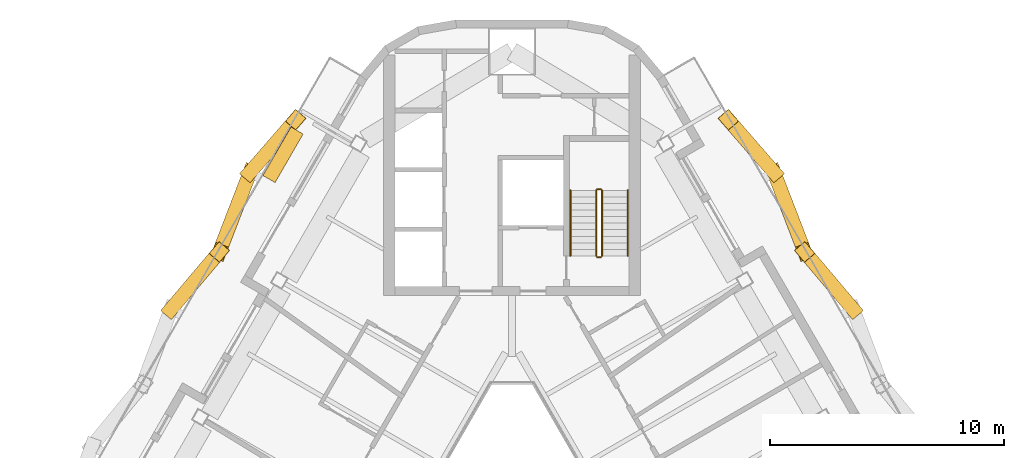
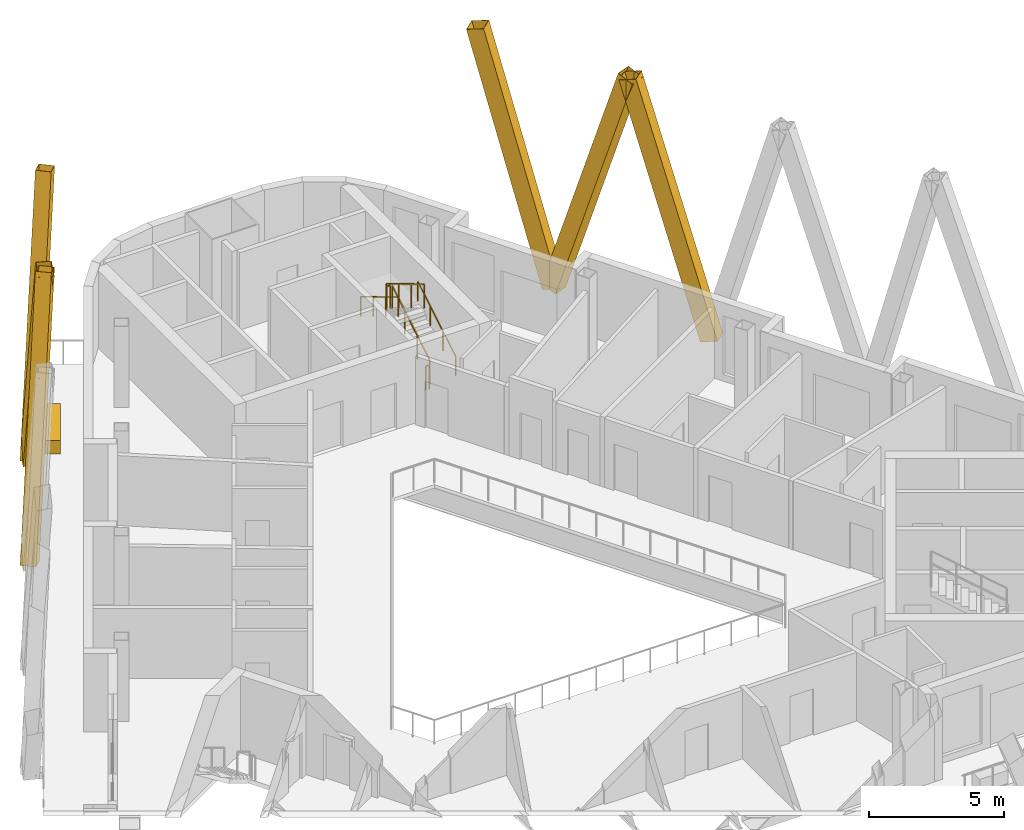
# One storey, part 12 of 12: 6 railings, 6 shading devices, 1 covering.
"""IFC4 building model written with IfcOpenShell, lengths in metres."""

from ifc_helpers import new_model, si_unit, direction, frame, origin, origin_2d, place, context, subcontext, project, spatial, rectangle, hollow_rectangle, circle, extrude, material, material_profile, profile_set, type_object, element, save


model = new_model("IFC4")

# Units and contexts
model_context = context("Model", 3, precision=1e-05, world=origin(), true_north=direction((0.0, 1.0)))
body_context = subcontext(model_context, "Body", "Model", "MODEL_VIEW")
ifc_project = project(units=[si_unit("LENGTHUNIT", "METRE"), si_unit("AREAUNIT", "SQUARE_METRE"), si_unit("VOLUMEUNIT", "CUBIC_METRE"), si_unit("PLANEANGLEUNIT", "RADIAN"), si_unit("MASSUNIT", "GRAM", prefix="KILO")], contexts=[model_context])

# Site, building, storey
site_placement = place(None, origin())
site = spatial("IfcSite", under=ifc_project, at=site_placement, CompositionType="ELEMENT")
building_placement = place(site_placement, origin())
building = spatial("IfcBuilding", under=site, at=building_placement, Name="Apuvela Tower Hotel", CompositionType="ELEMENT")
storey_placement = place(building_placement, frame((0.0, 0.0, 302.199951171875)))
storey = spatial("IfcBuildingStorey", under=building, at=storey_placement, Name="L75", CompositionType="ELEMENT", Elevation=302.199951171875)

# Railings
ifc_material_1 = material(Name="Steel S275 balustrade", Category="steel")
railing_type_1 = type_object("IfcRailingType", Name="COR-GUARD-1100", PredefinedType="GUARDRAIL", material=ifc_material_1)
railing_1_placement = place(storey_placement, frame((3.85009765625, 14.60009765625, 0.168212890625)))
element("IfcRailing", 1, at=railing_1_placement, inside=storey, type_object=railing_type_1, Name="L75 ST1 stair guard 1", PredefinedType="GUARDRAIL", context=body_context, shape_type="SweptSolid", body=[
    extrude(rectangle(XDim=0.048095703125, YDim=0.048095703125, at=origin_2d()), frame((0.0, 0.0, 1.076171875), z_axis=(0.0, 0.857222391501, 0.514946377315), x_axis=(-1.0, 0.0, 0.0)), (0.0, 0.0, 1.0), 3.26611328125),
    extrude(rectangle(XDim=0.0419921875, YDim=0.0419921875, at=origin_2d()), origin(), (0.0, 0.0, 1.0), 1.052001953125),
    extrude(rectangle(XDim=0.0419921875, YDim=0.0419921875, at=origin_2d()), frame((0.0, 0.933349609375, 0.560546875)), (0.0, 0.0, 1.0), 1.052001953125),
    extrude(rectangle(XDim=0.0419921875, YDim=0.0419921875, at=origin_2d()), frame((0.0, 1.866455078125, 1.121337890625)), (0.0, 0.0, 1.0), 1.052001953125),
    extrude(rectangle(XDim=0.0419921875, YDim=0.0419921875, at=origin_2d()), frame((0.0, 2.7998046875, 1.681884765625)), (0.0, 0.0, 1.0), 1.052001953125),
])
railing_2_placement = place(storey_placement, frame((3.800048828125, 17.449951171875, 1.85009765625)))
element("IfcRailing", 2, at=railing_2_placement, inside=storey, type_object=railing_type_1, Name="L75 ST1 stair guard 2", PredefinedType="GUARDRAIL", context=body_context, shape_type="SweptSolid", body=[
    extrude(rectangle(XDim=0.048095703125, YDim=0.048095703125, at=origin_2d()), frame((0.0, 0.0, 1.076171875), z_axis=(-1.0, 0.0, 0.0), x_axis=(0.0, -1.0, 0.0)), (0.0, 0.0, 1.0), 0.150146484375),
    extrude(rectangle(XDim=0.0419921875, YDim=0.0419921875, at=origin_2d()), origin(), (0.0, 0.0, 1.0), 1.052001953125),
    extrude(rectangle(XDim=0.0419921875, YDim=0.0419921875, at=origin_2d()), frame((-0.150146484375, 0.0, 0.0)), (0.0, 0.0, 1.0), 1.052001953125),
])
railing_3_placement = place(storey_placement, frame((3.60009765625, 17.39990234375, 2.018310546875)))
element("IfcRailing", 3, at=railing_3_placement, inside=storey, type_object=railing_type_1, Name="L75 ST1 stair guard 3", PredefinedType="GUARDRAIL", context=body_context, shape_type="SweptSolid", body=[
    extrude(rectangle(XDim=0.048095703125, YDim=0.048095703125, at=origin_2d()), frame((0.0, 0.0, 1.076171875), z_axis=(0.0, -0.857255387014, 0.514891446264), x_axis=(1.0, 0.0, 0.0)), (0.0, 0.0, 1.0), 3.26611328125),
    extrude(rectangle(XDim=0.0419921875, YDim=0.0419921875, at=origin_2d()), origin(), (0.0, 0.0, 1.0), 1.052001953125),
    extrude(rectangle(XDim=0.0419921875, YDim=0.0419921875, at=origin_2d()), frame((0.0, -0.933349609375, 0.560546875)), (0.0, 0.0, 1.0), 1.052001953125),
    extrude(rectangle(XDim=0.0419921875, YDim=0.0419921875, at=origin_2d()), frame((0.0, -1.866455078125, 1.12109375)), (0.0, 0.0, 1.0), 1.052001953125),
    extrude(rectangle(XDim=0.0419921875, YDim=0.0419921875, at=origin_2d()), frame((0.0, -2.7998046875, 1.681640625)), (0.0, 0.0, 1.0), 1.052001953125),
])
railing_4_placement = place(storey_placement, frame((3.800048828125, 14.550048828125, 0.0)))
element("IfcRailing", 4, at=railing_4_placement, inside=storey, type_object=railing_type_1, Name="L75 ST1 stair guard 4", PredefinedType="GUARDRAIL", context=body_context, shape_type="SweptSolid", body=[
    extrude(rectangle(XDim=0.048095703125, YDim=0.048095703125, at=origin_2d()), frame((0.0, 0.0, 1.076171875), z_axis=(-1.0, 0.0, 0.0), x_axis=(0.0, -1.0, 0.0)), (0.0, 0.0, 1.0), 0.150146484375),
    extrude(rectangle(XDim=0.0419921875, YDim=0.0419921875, at=origin_2d()), origin(), (0.0, 0.0, 1.0), 1.052001953125),
    extrude(rectangle(XDim=0.0419921875, YDim=0.0419921875, at=origin_2d()), frame((-0.150146484375, 0.0, 0.0)), (0.0, 0.0, 1.0), 1.052001953125),
])
ifc_material_2 = material(Name="Stainless steel 316 handrail", Category="steel")
railing_type_2 = type_object("IfcRailingType", Name="COR-HANDRAIL-900", PredefinedType="HANDRAIL", material=ifc_material_2)
railing_5_placement = place(storey_placement, frame((4.949951171875, 14.60009765625, 0.168212890625)))
element("IfcRailing", 5, at=railing_5_placement, inside=storey, type_object=railing_type_2, Name="L75 ST1 stair handrail 1", PredefinedType="HANDRAIL", context=body_context, shape_type="SweptSolid", body=[
    extrude(circle(Radius=0.02392578125, at=origin_2d()), frame((0.0, 0.0, 0.8759765625), z_axis=(0.0, 0.857222391501, 0.514946377315), x_axis=(-1.0, 0.0, 0.0)), (0.0, 0.0, 1.0), 3.26611328125),
    extrude(rectangle(XDim=0.0419921875, YDim=0.0419921875, at=origin_2d()), origin(), (0.0, 0.0, 1.0), 0.851806640625),
    extrude(rectangle(XDim=0.0419921875, YDim=0.0419921875, at=origin_2d()), frame((0.0, 0.933349609375, 0.560546875)), (0.0, 0.0, 1.0), 0.851806640625),
    extrude(rectangle(XDim=0.0419921875, YDim=0.0419921875, at=origin_2d()), frame((0.0, 1.866455078125, 1.121337890625)), (0.0, 0.0, 1.0), 0.851806640625),
    extrude(rectangle(XDim=0.0419921875, YDim=0.0419921875, at=origin_2d()), frame((0.0, 2.7998046875, 1.681884765625)), (0.0, 0.0, 1.0), 0.851806640625),
])
railing_6_placement = place(storey_placement, frame((2.5, 17.39990234375, 2.018310546875)))
element("IfcRailing", 6, at=railing_6_placement, inside=storey, type_object=railing_type_2, Name="L75 ST1 stair handrail 2", PredefinedType="HANDRAIL", context=body_context, shape_type="SweptSolid", body=[
    extrude(circle(Radius=0.02392578125, at=origin_2d()), frame((0.0, 0.0, 0.8759765625), z_axis=(0.0, -0.857255387014, 0.514891446264), x_axis=(1.0, 0.0, 0.0)), (0.0, 0.0, 1.0), 3.26611328125),
    extrude(rectangle(XDim=0.0419921875, YDim=0.0419921875, at=origin_2d()), origin(), (0.0, 0.0, 1.0), 0.851806640625),
    extrude(rectangle(XDim=0.0419921875, YDim=0.0419921875, at=origin_2d()), frame((0.0, -0.933349609375, 0.560546875)), (0.0, 0.0, 1.0), 0.851806640625),
    extrude(rectangle(XDim=0.0419921875, YDim=0.0419921875, at=origin_2d()), frame((0.0, -1.866455078125, 1.12109375)), (0.0, 0.0, 1.0), 0.851806640625),
    extrude(rectangle(XDim=0.0419921875, YDim=0.0419921875, at=origin_2d()), frame((0.0, -2.7998046875, 1.681640625)), (0.0, 0.0, 1.0), 0.851806640625),
])

# Shading devices
ifc_material_3 = material(Name="Aluminium 6063-T6, black anodised", Category="aluminium")
ifc_material_profile = material_profile(ifc_material_3, hollow_rectangle(XDim=0.60009765625, YDim=0.699951171875, WallThickness=0.011962890625, at=origin_2d()), Name="AL BOX 700x600x12")
ifc_profile_set = profile_set([ifc_material_profile], Name="Aluminium 6063-T6, black anodised")
shading_device_type = type_object("IfcShadingDeviceType", Name="ENV-FIN-700x600", PredefinedType="USERDEFINED", material=ifc_profile_set)
shading_device_1_placement = place(storey_placement, frame((14.5869140625, 12.323974609375, -0.099853515625), z_axis=(-0.178913656165, 0.211691246611, 0.96082085726), x_axis=(-0.763759239097, -0.645501219746, 0.0)))
element("IfcShadingDevice", 7, at=shading_device_1_placement, inside=storey, type_object=shading_device_type, Name="Lattice fin NE670", ObjectType="FIN", PredefinedType="USERDEFINED", context=body_context, shape_type="SweptSolid", body=[
    extrude(hollow_rectangle(XDim=0.60009765625, YDim=0.699951171875, WallThickness=0.011962890625, at=origin_2d()), origin(), (0.0, 0.0, 1.0), 11.552490234375),
])
shading_device_2_placement = place(storey_placement, frame((11.20751953125, 18.17724609375, -0.099853515625), z_axis=(0.112322381193, -0.291628682419, 0.94991388782), x_axis=(0.93317663974, 0.359418083912, 0.0)))
element("IfcShadingDevice", 8, at=shading_device_2_placement, inside=storey, type_object=shading_device_type, Name="Lattice fin NE671", ObjectType="FIN", PredefinedType="USERDEFINED", context=body_context, shape_type="SweptSolid", body=[
    extrude(hollow_rectangle(XDim=0.60009765625, YDim=0.699951171875, WallThickness=0.011962890625, at=origin_2d()), origin(), (0.0, 0.0, 1.0), 11.68505859375),
])
for number, where, z_axis, x_axis, name in (
    (9, (11.20751953125, 18.17724609375, -0.099853515625), (-0.169908073036, 0.195613095338, 0.965850280142), (-0.754969024262, -0.655760453524, 0.0), "Lattice fin NE672"),
    (10, (-11.20751953125, 18.17724609375, -0.099853515625), (0.169908073036, 0.195613095338, 0.965850280142), (-0.754969024262, 0.655760453524, 0.0), "Lattice fin NW693"),
):
    element("IfcShadingDevice", number, at=place(storey_placement, frame(where, z_axis=z_axis, x_axis=x_axis)), inside=storey, type_object=shading_device_type, Name=name, ObjectType="FIN", PredefinedType="USERDEFINED", context=body_context, shape_type="SweptSolid", body=[
        extrude(hollow_rectangle(XDim=0.60009765625, YDim=0.699951171875, WallThickness=0.011962890625, at=origin_2d()), origin(), (0.0, 0.0, 1.0), 11.492431640625),
    ])
shading_device_3_placement = place(storey_placement, frame((-11.20751953125, 18.17724609375, -0.099853515625), z_axis=(-0.112322381193, -0.291628682419, 0.94991388782), x_axis=(0.93317663974, -0.359418083912, 0.0)))
element("IfcShadingDevice", 11, at=shading_device_3_placement, inside=storey, type_object=shading_device_type, Name="Lattice fin NW694", ObjectType="FIN", PredefinedType="USERDEFINED", context=body_context, shape_type="SweptSolid", body=[
    extrude(hollow_rectangle(XDim=0.60009765625, YDim=0.699951171875, WallThickness=0.011962890625, at=origin_2d()), origin(), (0.0, 0.0, 1.0), 11.68505859375),
])
shading_device_4_placement = place(storey_placement, frame((-14.5869140625, 12.323974609375, -0.099853515625), z_axis=(0.178913656165, 0.211691246611, 0.96082085726), x_axis=(-0.763759239097, 0.645501219746, 0.0)))
element("IfcShadingDevice", 12, at=shading_device_4_placement, inside=storey, type_object=shading_device_type, Name="Lattice fin NW695", ObjectType="FIN", PredefinedType="USERDEFINED", context=body_context, shape_type="SweptSolid", body=[
    extrude(hollow_rectangle(XDim=0.60009765625, YDim=0.699951171875, WallThickness=0.011962890625, at=origin_2d()), origin(), (0.0, 0.0, 1.0), 11.552490234375),
])

# Covering
ifc_material_4 = material(Name="Planting substrate and soil, planted")
covering_type = type_object("IfcCoveringType", Name="ENV-PLANTER-2400x600", PredefinedType="USERDEFINED", material=ifc_material_4)
covering_placement = place(storey_placement, frame((-9.7939453125, 18.925537109375, 0.0), z_axis=(0.0, 0.0, 1.0), x_axis=(-0.5, -0.866025403784, 0.0)))
element("IfcCovering", 13, at=covering_placement, inside=storey, type_object=covering_type, Name="Planter NW4", ObjectType="PLANTER", PredefinedType="USERDEFINED", context=body_context, shape_type="SweptSolid", body=[
    extrude(rectangle(XDim=2.39990234375, YDim=0.60009765625, at=origin_2d()), origin(), (0.0, 0.0, 1.0), 0.60009765625),
])

save(model, "model.ifc")
